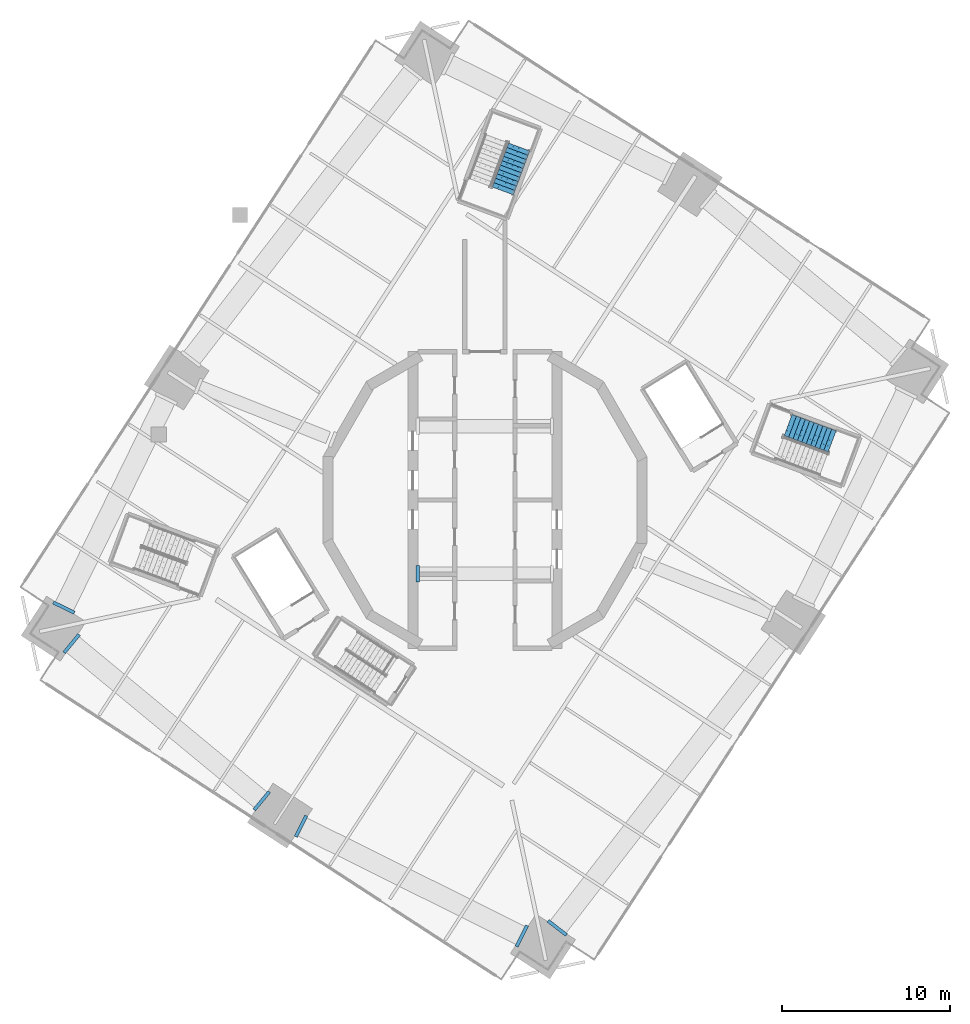
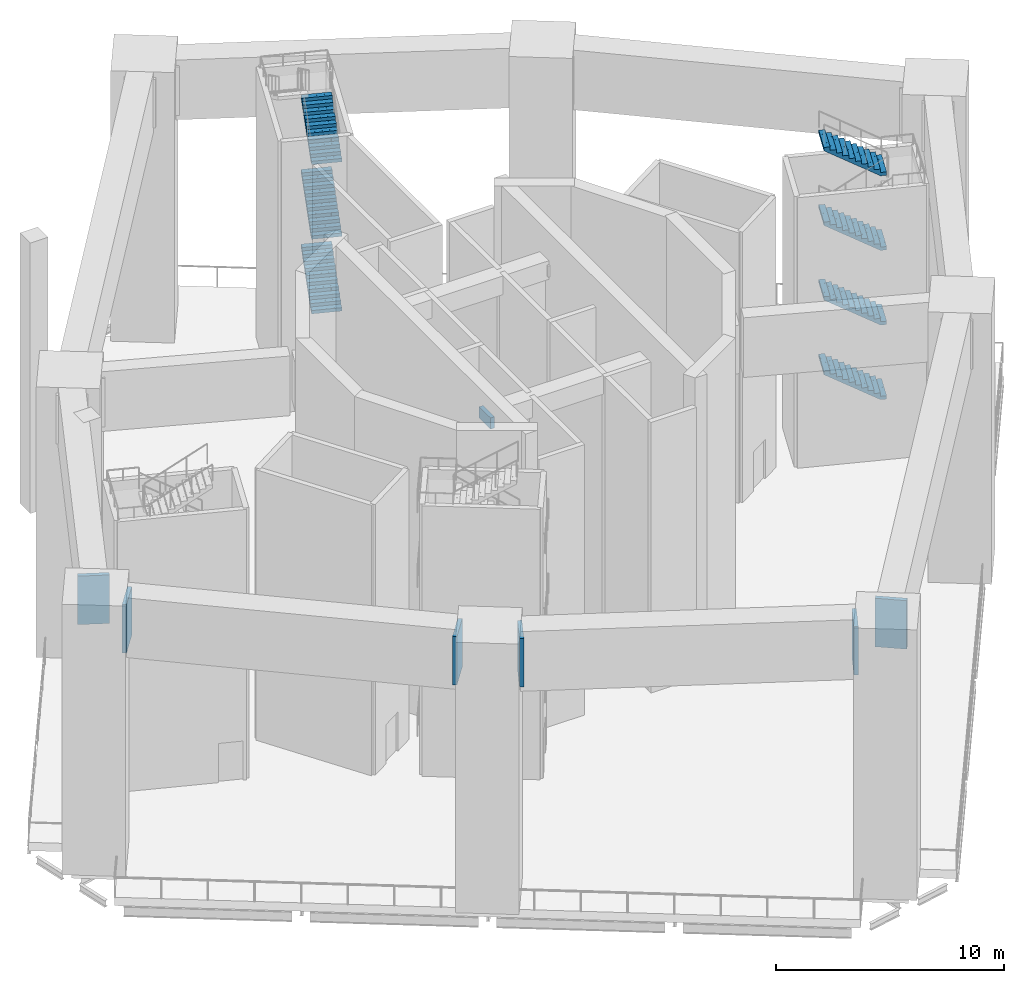
# One storey, part 8 of 16: 7 discrete accessories, 7 stair flights, 2 elements without a shape of their own.
"""IFC4 building model written with IfcOpenShell, lengths in metres."""

from ifc_helpers import new_model, si_unit, direction, frame, origin, place, context, subcontext, project, spatial, polyline, outline, extrude, material, layer, layer_set, type_object, element, aggregate, save


model = new_model("IFC4")

# Units and contexts
model_context = context("Model", 3, precision=1e-05, world=origin(), true_north=direction((0.0, 1.0)))
body_context = subcontext(model_context, "Body", "Model", "MODEL_VIEW")
ifc_project = project(units=[si_unit("LENGTHUNIT", "METRE"), si_unit("AREAUNIT", "SQUARE_METRE"), si_unit("VOLUMEUNIT", "CUBIC_METRE"), si_unit("PLANEANGLEUNIT", "RADIAN"), si_unit("MASSUNIT", "GRAM", prefix="KILO")], contexts=[model_context])

# Site, building, storey
site_placement = place(None, origin())
site = spatial("IfcSite", under=ifc_project, at=site_placement, CompositionType="ELEMENT")
building_placement = place(site_placement, origin())
building = spatial("IfcBuilding", under=site, at=building_placement, Name="Cantera Rosa Tower", CompositionType="ELEMENT")
storey_placement = place(building_placement, frame((0.0, 0.0, 290.10009765625)))
storey = spatial("IfcBuildingStorey", under=building, at=storey_placement, Name="L66", CompositionType="ELEMENT", Elevation=290.10009765625)

# Stair, stair flights
ifc_material_1 = material(Name="Concrete C35/45", Category="concrete")
stair_type = type_object("IfcStairType", Name="EXIT STAIR 1350 DOGLEG", PredefinedType="HALF_TURN_STAIR", material=ifc_material_1)
stair_1_placement = place(storey_placement, origin())
stair_1 = element("IfcStair", 1, at=stair_1_placement, inside=storey, type_object=stair_type, Name="L66 ST-61", PredefinedType="HALF_TURN_STAIR")
ifc_material_2 = material(Name="Concrete C35/45", Category="concrete")
stair_flight_type = type_object("IfcStairFlightType", Name="STAIR FLIGHT 1350 R88x182", PredefinedType="STRAIGHT", material=ifc_material_2)
stair_flight_1_placement = place(storey_placement, frame((20.705810546875, 3.498046875, 2.0), z_axis=(0.0, 0.0, 1.0), x_axis=(-0.937686938944, 0.347481229039, 0.0)))
stair_flight_1 = element("IfcStairFlight", 2, at=stair_flight_1_placement, type_object=stair_flight_type, Name="ST-61 flight 2", NumberOfRisers=11, NumberOfTreads=10, PredefinedType="STRAIGHT", RiserHeight=0.181818182, TreadLength=0.28, context=body_context, shape_type="SweptSolid", body=[
    extrude(outline(polyline([(0.0, 0.0), (0.0, 0.181884765625), (0.280029296875, 0.181884765625), (0.280029296875, 0.363525390625), (0.56005859375, 0.363525390625), (0.56005859375, 0.54541015625), (0.840087890625, 0.54541015625), (0.840087890625, 0.727294921875), (1.1201171875, 0.727294921875), (1.1201171875, 0.9091796875), (1.39990234375, 0.9091796875), (1.39990234375, 1.0908203125), (1.679931640625, 1.0908203125), (1.679931640625, 1.272705078125), (1.9599609375, 1.272705078125), (1.9599609375, 1.45458984375), (2.239990234375, 1.45458984375), (2.239990234375, 1.636474609375), (2.52001953125, 1.636474609375), (2.52001953125, 1.818115234375), (2.800048828125, 1.818115234375), (2.800048828125, 2.0), (2.800048828125, 1.639404296875), (0.275146484375, 0.0), (0.0, 0.0)])), frame((0.0, 0.675048828125, 0.0), z_axis=(0.0, -1.0, 0.0), x_axis=(1.0, 0.0, 0.0)), (0.0, 0.0, 1.0), 0.3359375),
    extrude(outline(polyline([(0.0, 0.0), (0.0, 0.181884765625), (0.280029296875, 0.181884765625), (0.280029296875, 0.363525390625), (0.56005859375, 0.363525390625), (0.56005859375, 0.54541015625), (0.840087890625, 0.54541015625), (0.840087890625, 0.727294921875), (1.1201171875, 0.727294921875), (1.1201171875, 0.9091796875), (1.39990234375, 0.9091796875), (1.39990234375, 1.0908203125), (1.679931640625, 1.0908203125), (1.679931640625, 1.272705078125), (1.9599609375, 1.272705078125), (1.9599609375, 1.45458984375), (2.239990234375, 1.45458984375), (2.239990234375, 1.636474609375), (2.52001953125, 1.636474609375), (2.52001953125, 1.818115234375), (2.800048828125, 1.818115234375), (2.800048828125, 2.0), (2.800048828125, 1.639404296875), (0.275146484375, 0.0), (0.0, 0.0)])), frame((0.0, 0.337158203125, 0.0), z_axis=(0.0, -1.0, 0.0), x_axis=(1.0, 0.0, 0.0)), (0.0, 0.0, 1.0), 0.3359375),
    extrude(outline(polyline([(0.0, 0.0), (0.0, 0.181884765625), (0.280029296875, 0.181884765625), (0.280029296875, 0.363525390625), (0.56005859375, 0.363525390625), (0.56005859375, 0.54541015625), (0.840087890625, 0.54541015625), (0.840087890625, 0.727294921875), (1.1201171875, 0.727294921875), (1.1201171875, 0.9091796875), (1.39990234375, 0.9091796875), (1.39990234375, 1.0908203125), (1.679931640625, 1.0908203125), (1.679931640625, 1.272705078125), (1.9599609375, 1.272705078125), (1.9599609375, 1.45458984375), (2.239990234375, 1.45458984375), (2.239990234375, 1.636474609375), (2.52001953125, 1.636474609375), (2.52001953125, 1.818115234375), (2.800048828125, 1.818115234375), (2.800048828125, 2.0), (2.800048828125, 1.639404296875), (0.275146484375, 0.0), (0.0, 0.0)])), frame((0.0, -0.000732421875, 0.0), z_axis=(0.0, -1.0, 0.0), x_axis=(1.0, 0.0, 0.0)), (0.0, 0.0, 1.0), 0.3359375),
    extrude(outline(polyline([(0.0, 0.0), (0.0, 0.181884765625), (0.280029296875, 0.181884765625), (0.280029296875, 0.363525390625), (0.56005859375, 0.363525390625), (0.56005859375, 0.54541015625), (0.840087890625, 0.54541015625), (0.840087890625, 0.727294921875), (1.1201171875, 0.727294921875), (1.1201171875, 0.9091796875), (1.39990234375, 0.9091796875), (1.39990234375, 1.0908203125), (1.679931640625, 1.0908203125), (1.679931640625, 1.272705078125), (1.9599609375, 1.272705078125), (1.9599609375, 1.45458984375), (2.239990234375, 1.45458984375), (2.239990234375, 1.636474609375), (2.52001953125, 1.636474609375), (2.52001953125, 1.818115234375), (2.800048828125, 1.818115234375), (2.800048828125, 2.0), (2.800048828125, 1.639404296875), (0.275146484375, 0.0), (0.0, 0.0)])), frame((0.0, -0.338623046875, 0.0), z_axis=(0.0, -1.0, 0.0), x_axis=(1.0, 0.0, 0.0)), (0.0, 0.0, 1.0), 0.3359375),
])
stair_flight_2_placement = place(storey_placement, frame((20.705810546875, 3.498046875, 6.0), z_axis=(0.0, 0.0, 1.0), x_axis=(-0.937686938944, 0.347481229039, 0.0)))
stair_flight_2 = element("IfcStairFlight", 3, at=stair_flight_2_placement, type_object=stair_flight_type, Name="ST-61 flight 4", NumberOfRisers=11, NumberOfTreads=10, PredefinedType="STRAIGHT", RiserHeight=0.181818182, TreadLength=0.28, context=body_context, shape_type="SweptSolid", body=[
    extrude(outline(polyline([(0.0, 0.0), (0.0, 0.181884765625), (0.280029296875, 0.181884765625), (0.280029296875, 0.363525390625), (0.56005859375, 0.363525390625), (0.56005859375, 0.54541015625), (0.840087890625, 0.54541015625), (0.840087890625, 0.727294921875), (1.1201171875, 0.727294921875), (1.1201171875, 0.9091796875), (1.39990234375, 0.9091796875), (1.39990234375, 1.0908203125), (1.679931640625, 1.0908203125), (1.679931640625, 1.272705078125), (1.9599609375, 1.272705078125), (1.9599609375, 1.45458984375), (2.239990234375, 1.45458984375), (2.239990234375, 1.636474609375), (2.52001953125, 1.636474609375), (2.52001953125, 1.818115234375), (2.800048828125, 1.818115234375), (2.800048828125, 2.0), (2.800048828125, 1.639404296875), (0.275146484375, 0.0), (0.0, 0.0)])), frame((0.0, 0.675048828125, 0.0), z_axis=(0.0, -1.0, 0.0), x_axis=(1.0, 0.0, 0.0)), (0.0, 0.0, 1.0), 0.3359375),
    extrude(outline(polyline([(0.0, 0.0), (0.0, 0.181884765625), (0.280029296875, 0.181884765625), (0.280029296875, 0.363525390625), (0.56005859375, 0.363525390625), (0.56005859375, 0.54541015625), (0.840087890625, 0.54541015625), (0.840087890625, 0.727294921875), (1.1201171875, 0.727294921875), (1.1201171875, 0.9091796875), (1.39990234375, 0.9091796875), (1.39990234375, 1.0908203125), (1.679931640625, 1.0908203125), (1.679931640625, 1.272705078125), (1.9599609375, 1.272705078125), (1.9599609375, 1.45458984375), (2.239990234375, 1.45458984375), (2.239990234375, 1.636474609375), (2.52001953125, 1.636474609375), (2.52001953125, 1.818115234375), (2.800048828125, 1.818115234375), (2.800048828125, 2.0), (2.800048828125, 1.639404296875), (0.275146484375, 0.0), (0.0, 0.0)])), frame((0.0, 0.337158203125, 0.0), z_axis=(0.0, -1.0, 0.0), x_axis=(1.0, 0.0, 0.0)), (0.0, 0.0, 1.0), 0.3359375),
    extrude(outline(polyline([(0.0, 0.0), (0.0, 0.181884765625), (0.280029296875, 0.181884765625), (0.280029296875, 0.363525390625), (0.56005859375, 0.363525390625), (0.56005859375, 0.54541015625), (0.840087890625, 0.54541015625), (0.840087890625, 0.727294921875), (1.1201171875, 0.727294921875), (1.1201171875, 0.9091796875), (1.39990234375, 0.9091796875), (1.39990234375, 1.0908203125), (1.679931640625, 1.0908203125), (1.679931640625, 1.272705078125), (1.9599609375, 1.272705078125), (1.9599609375, 1.45458984375), (2.239990234375, 1.45458984375), (2.239990234375, 1.636474609375), (2.52001953125, 1.636474609375), (2.52001953125, 1.818115234375), (2.800048828125, 1.818115234375), (2.800048828125, 2.0), (2.800048828125, 1.639404296875), (0.275146484375, 0.0), (0.0, 0.0)])), frame((0.0, -0.000732421875, 0.0), z_axis=(0.0, -1.0, 0.0), x_axis=(1.0, 0.0, 0.0)), (0.0, 0.0, 1.0), 0.3359375),
    extrude(outline(polyline([(0.0, 0.0), (0.0, 0.181884765625), (0.280029296875, 0.181884765625), (0.280029296875, 0.363525390625), (0.56005859375, 0.363525390625), (0.56005859375, 0.54541015625), (0.840087890625, 0.54541015625), (0.840087890625, 0.727294921875), (1.1201171875, 0.727294921875), (1.1201171875, 0.9091796875), (1.39990234375, 0.9091796875), (1.39990234375, 1.0908203125), (1.679931640625, 1.0908203125), (1.679931640625, 1.272705078125), (1.9599609375, 1.272705078125), (1.9599609375, 1.45458984375), (2.239990234375, 1.45458984375), (2.239990234375, 1.636474609375), (2.52001953125, 1.636474609375), (2.52001953125, 1.818115234375), (2.800048828125, 1.818115234375), (2.800048828125, 2.0), (2.800048828125, 1.639404296875), (0.275146484375, 0.0), (0.0, 0.0)])), frame((0.0, -0.338623046875, 0.0), z_axis=(0.0, -1.0, 0.0), x_axis=(1.0, 0.0, 0.0)), (0.0, 0.0, 1.0), 0.3359375),
])
stair_flight_3_placement = place(storey_placement, frame((20.705810546875, 3.498046875, 10.0), z_axis=(0.0, 0.0, 1.0), x_axis=(-0.937686938944, 0.347481229039, 0.0)))
stair_flight_3 = element("IfcStairFlight", 4, at=stair_flight_3_placement, type_object=stair_flight_type, Name="ST-61 flight 6", NumberOfRisers=11, NumberOfTreads=10, PredefinedType="STRAIGHT", RiserHeight=0.181818182, TreadLength=0.28, context=body_context, shape_type="SweptSolid", body=[
    extrude(outline(polyline([(0.0, 0.0), (0.0, 0.181884765625), (0.280029296875, 0.181884765625), (0.280029296875, 0.363525390625), (0.56005859375, 0.363525390625), (0.56005859375, 0.54541015625), (0.840087890625, 0.54541015625), (0.840087890625, 0.727294921875), (1.1201171875, 0.727294921875), (1.1201171875, 0.9091796875), (1.39990234375, 0.9091796875), (1.39990234375, 1.0908203125), (1.679931640625, 1.0908203125), (1.679931640625, 1.272705078125), (1.9599609375, 1.272705078125), (1.9599609375, 1.45458984375), (2.239990234375, 1.45458984375), (2.239990234375, 1.636474609375), (2.52001953125, 1.636474609375), (2.52001953125, 1.818115234375), (2.800048828125, 1.818115234375), (2.800048828125, 2.0), (2.800048828125, 1.639404296875), (0.275146484375, 0.0), (0.0, 0.0)])), frame((0.0, 0.675048828125, 0.0), z_axis=(0.0, -1.0, 0.0), x_axis=(1.0, 0.0, 0.0)), (0.0, 0.0, 1.0), 0.3359375),
    extrude(outline(polyline([(0.0, 0.0), (0.0, 0.181884765625), (0.280029296875, 0.181884765625), (0.280029296875, 0.363525390625), (0.56005859375, 0.363525390625), (0.56005859375, 0.54541015625), (0.840087890625, 0.54541015625), (0.840087890625, 0.727294921875), (1.1201171875, 0.727294921875), (1.1201171875, 0.9091796875), (1.39990234375, 0.9091796875), (1.39990234375, 1.0908203125), (1.679931640625, 1.0908203125), (1.679931640625, 1.272705078125), (1.9599609375, 1.272705078125), (1.9599609375, 1.45458984375), (2.239990234375, 1.45458984375), (2.239990234375, 1.636474609375), (2.52001953125, 1.636474609375), (2.52001953125, 1.818115234375), (2.800048828125, 1.818115234375), (2.800048828125, 2.0), (2.800048828125, 1.639404296875), (0.275146484375, 0.0), (0.0, 0.0)])), frame((0.0, 0.337158203125, 0.0), z_axis=(0.0, -1.0, 0.0), x_axis=(1.0, 0.0, 0.0)), (0.0, 0.0, 1.0), 0.3359375),
    extrude(outline(polyline([(0.0, 0.0), (0.0, 0.181884765625), (0.280029296875, 0.181884765625), (0.280029296875, 0.363525390625), (0.56005859375, 0.363525390625), (0.56005859375, 0.54541015625), (0.840087890625, 0.54541015625), (0.840087890625, 0.727294921875), (1.1201171875, 0.727294921875), (1.1201171875, 0.9091796875), (1.39990234375, 0.9091796875), (1.39990234375, 1.0908203125), (1.679931640625, 1.0908203125), (1.679931640625, 1.272705078125), (1.9599609375, 1.272705078125), (1.9599609375, 1.45458984375), (2.239990234375, 1.45458984375), (2.239990234375, 1.636474609375), (2.52001953125, 1.636474609375), (2.52001953125, 1.818115234375), (2.800048828125, 1.818115234375), (2.800048828125, 2.0), (2.800048828125, 1.639404296875), (0.275146484375, 0.0), (0.0, 0.0)])), frame((0.0, -0.000732421875, 0.0), z_axis=(0.0, -1.0, 0.0), x_axis=(1.0, 0.0, 0.0)), (0.0, 0.0, 1.0), 0.3359375),
    extrude(outline(polyline([(0.0, 0.0), (0.0, 0.181884765625), (0.280029296875, 0.181884765625), (0.280029296875, 0.363525390625), (0.56005859375, 0.363525390625), (0.56005859375, 0.54541015625), (0.840087890625, 0.54541015625), (0.840087890625, 0.727294921875), (1.1201171875, 0.727294921875), (1.1201171875, 0.9091796875), (1.39990234375, 0.9091796875), (1.39990234375, 1.0908203125), (1.679931640625, 1.0908203125), (1.679931640625, 1.272705078125), (1.9599609375, 1.272705078125), (1.9599609375, 1.45458984375), (2.239990234375, 1.45458984375), (2.239990234375, 1.636474609375), (2.52001953125, 1.636474609375), (2.52001953125, 1.818115234375), (2.800048828125, 1.818115234375), (2.800048828125, 2.0), (2.800048828125, 1.639404296875), (0.275146484375, 0.0), (0.0, 0.0)])), frame((0.0, -0.338623046875, 0.0), z_axis=(0.0, -1.0, 0.0), x_axis=(1.0, 0.0, 0.0)), (0.0, 0.0, 1.0), 0.3359375),
])
stair_flight_4_placement = place(storey_placement, frame((20.705810546875, 3.498046875, 14.0), z_axis=(0.0, 0.0, 1.0), x_axis=(-0.937686938944, 0.347481229039, 0.0)))
stair_flight_4 = element("IfcStairFlight", 5, at=stair_flight_4_placement, type_object=stair_flight_type, Name="ST-61 flight 8", NumberOfRisers=11, NumberOfTreads=10, PredefinedType="STRAIGHT", RiserHeight=0.181818182, TreadLength=0.28, context=body_context, shape_type="SweptSolid", body=[
    extrude(outline(polyline([(0.0, 0.0), (0.0, 0.181884765625), (0.280029296875, 0.181884765625), (0.280029296875, 0.363525390625), (0.56005859375, 0.363525390625), (0.56005859375, 0.54541015625), (0.840087890625, 0.54541015625), (0.840087890625, 0.727294921875), (1.1201171875, 0.727294921875), (1.1201171875, 0.9091796875), (1.39990234375, 0.9091796875), (1.39990234375, 1.0908203125), (1.679931640625, 1.0908203125), (1.679931640625, 1.272705078125), (1.9599609375, 1.272705078125), (1.9599609375, 1.45458984375), (2.239990234375, 1.45458984375), (2.239990234375, 1.636474609375), (2.52001953125, 1.636474609375), (2.52001953125, 1.818115234375), (2.800048828125, 1.818115234375), (2.800048828125, 2.0), (2.800048828125, 1.639404296875), (0.275146484375, 0.0), (0.0, 0.0)])), frame((0.0, 0.675048828125, 0.0), z_axis=(0.0, -1.0, 0.0), x_axis=(1.0, 0.0, 0.0)), (0.0, 0.0, 1.0), 0.3359375),
    extrude(outline(polyline([(0.0, 0.0), (0.0, 0.181884765625), (0.280029296875, 0.181884765625), (0.280029296875, 0.363525390625), (0.56005859375, 0.363525390625), (0.56005859375, 0.54541015625), (0.840087890625, 0.54541015625), (0.840087890625, 0.727294921875), (1.1201171875, 0.727294921875), (1.1201171875, 0.9091796875), (1.39990234375, 0.9091796875), (1.39990234375, 1.0908203125), (1.679931640625, 1.0908203125), (1.679931640625, 1.272705078125), (1.9599609375, 1.272705078125), (1.9599609375, 1.45458984375), (2.239990234375, 1.45458984375), (2.239990234375, 1.636474609375), (2.52001953125, 1.636474609375), (2.52001953125, 1.818115234375), (2.800048828125, 1.818115234375), (2.800048828125, 2.0), (2.800048828125, 1.639404296875), (0.275146484375, 0.0), (0.0, 0.0)])), frame((0.0, 0.337158203125, 0.0), z_axis=(0.0, -1.0, 0.0), x_axis=(1.0, 0.0, 0.0)), (0.0, 0.0, 1.0), 0.3359375),
    extrude(outline(polyline([(0.0, 0.0), (0.0, 0.181884765625), (0.280029296875, 0.181884765625), (0.280029296875, 0.363525390625), (0.56005859375, 0.363525390625), (0.56005859375, 0.54541015625), (0.840087890625, 0.54541015625), (0.840087890625, 0.727294921875), (1.1201171875, 0.727294921875), (1.1201171875, 0.9091796875), (1.39990234375, 0.9091796875), (1.39990234375, 1.0908203125), (1.679931640625, 1.0908203125), (1.679931640625, 1.272705078125), (1.9599609375, 1.272705078125), (1.9599609375, 1.45458984375), (2.239990234375, 1.45458984375), (2.239990234375, 1.636474609375), (2.52001953125, 1.636474609375), (2.52001953125, 1.818115234375), (2.800048828125, 1.818115234375), (2.800048828125, 2.0), (2.800048828125, 1.639404296875), (0.275146484375, 0.0), (0.0, 0.0)])), frame((0.0, -0.000732421875, 0.0), z_axis=(0.0, -1.0, 0.0), x_axis=(1.0, 0.0, 0.0)), (0.0, 0.0, 1.0), 0.3359375),
    extrude(outline(polyline([(0.0, 0.0), (0.0, 0.181884765625), (0.280029296875, 0.181884765625), (0.280029296875, 0.363525390625), (0.56005859375, 0.363525390625), (0.56005859375, 0.54541015625), (0.840087890625, 0.54541015625), (0.840087890625, 0.727294921875), (1.1201171875, 0.727294921875), (1.1201171875, 0.9091796875), (1.39990234375, 0.9091796875), (1.39990234375, 1.0908203125), (1.679931640625, 1.0908203125), (1.679931640625, 1.272705078125), (1.9599609375, 1.272705078125), (1.9599609375, 1.45458984375), (2.239990234375, 1.45458984375), (2.239990234375, 1.636474609375), (2.52001953125, 1.636474609375), (2.52001953125, 1.818115234375), (2.800048828125, 1.818115234375), (2.800048828125, 2.0), (2.800048828125, 1.639404296875), (0.275146484375, 0.0), (0.0, 0.0)])), frame((0.0, -0.338623046875, 0.0), z_axis=(0.0, -1.0, 0.0), x_axis=(1.0, 0.0, 0.0)), (0.0, 0.0, 1.0), 0.3359375),
])
aggregate(stair_1, [stair_flight_1, stair_flight_2, stair_flight_3, stair_flight_4])

stair_2_placement = place(storey_placement, origin())
stair_2 = element("IfcStair", 6, at=stair_2_placement, inside=storey, type_object=stair_type, Name="L66 ST-62", PredefinedType="HALF_TURN_STAIR")
stair_flight_5_placement = place(storey_placement, frame((1.069580078125, 18.426513671875, 4.0), z_axis=(0.0, 0.0, 1.0), x_axis=(0.347481229039, 0.937686938944, 0.0)))
stair_flight_5 = element("IfcStairFlight", 7, at=stair_flight_5_placement, type_object=stair_flight_type, Name="ST-62 flight 3", NumberOfRisers=11, NumberOfTreads=10, PredefinedType="STRAIGHT", RiserHeight=0.181818182, TreadLength=0.28, context=body_context, shape_type="SweptSolid", body=[
    extrude(outline(polyline([(0.0, 0.0), (0.0, 0.181884765625), (0.280029296875, 0.181884765625), (0.280029296875, 0.363525390625), (0.56005859375, 0.363525390625), (0.56005859375, 0.54541015625), (0.840087890625, 0.54541015625), (0.840087890625, 0.727294921875), (1.1201171875, 0.727294921875), (1.1201171875, 0.9091796875), (1.39990234375, 0.9091796875), (1.39990234375, 1.0908203125), (1.679931640625, 1.0908203125), (1.679931640625, 1.272705078125), (1.9599609375, 1.272705078125), (1.9599609375, 1.45458984375), (2.239990234375, 1.45458984375), (2.239990234375, 1.636474609375), (2.52001953125, 1.636474609375), (2.52001953125, 1.818115234375), (2.800048828125, 1.818115234375), (2.800048828125, 2.0), (2.800048828125, 1.639404296875), (0.275146484375, 0.0), (0.0, 0.0)])), frame((0.0, 0.675048828125, 0.0), z_axis=(0.0, -1.0, 0.0), x_axis=(1.0, 0.0, 0.0)), (0.0, 0.0, 1.0), 0.3359375),
    extrude(outline(polyline([(0.0, 0.0), (0.0, 0.181884765625), (0.280029296875, 0.181884765625), (0.280029296875, 0.363525390625), (0.56005859375, 0.363525390625), (0.56005859375, 0.54541015625), (0.840087890625, 0.54541015625), (0.840087890625, 0.727294921875), (1.1201171875, 0.727294921875), (1.1201171875, 0.9091796875), (1.39990234375, 0.9091796875), (1.39990234375, 1.0908203125), (1.679931640625, 1.0908203125), (1.679931640625, 1.272705078125), (1.9599609375, 1.272705078125), (1.9599609375, 1.45458984375), (2.239990234375, 1.45458984375), (2.239990234375, 1.636474609375), (2.52001953125, 1.636474609375), (2.52001953125, 1.818115234375), (2.800048828125, 1.818115234375), (2.800048828125, 2.0), (2.800048828125, 1.639404296875), (0.275146484375, 0.0), (0.0, 0.0)])), frame((0.0, 0.337158203125, 0.0), z_axis=(0.0, -1.0, 0.0), x_axis=(1.0, 0.0, 0.0)), (0.0, 0.0, 1.0), 0.3359375),
    extrude(outline(polyline([(0.0, 0.0), (0.0, 0.181884765625), (0.280029296875, 0.181884765625), (0.280029296875, 0.363525390625), (0.56005859375, 0.363525390625), (0.56005859375, 0.54541015625), (0.840087890625, 0.54541015625), (0.840087890625, 0.727294921875), (1.1201171875, 0.727294921875), (1.1201171875, 0.9091796875), (1.39990234375, 0.9091796875), (1.39990234375, 1.0908203125), (1.679931640625, 1.0908203125), (1.679931640625, 1.272705078125), (1.9599609375, 1.272705078125), (1.9599609375, 1.45458984375), (2.239990234375, 1.45458984375), (2.239990234375, 1.636474609375), (2.52001953125, 1.636474609375), (2.52001953125, 1.818115234375), (2.800048828125, 1.818115234375), (2.800048828125, 2.0), (2.800048828125, 1.639404296875), (0.275146484375, 0.0), (0.0, 0.0)])), frame((0.0, -0.000732421875, 0.0), z_axis=(0.0, -1.0, 0.0), x_axis=(1.0, 0.0, 0.0)), (0.0, 0.0, 1.0), 0.3359375),
    extrude(outline(polyline([(0.0, 0.0), (0.0, 0.181884765625), (0.280029296875, 0.181884765625), (0.280029296875, 0.363525390625), (0.56005859375, 0.363525390625), (0.56005859375, 0.54541015625), (0.840087890625, 0.54541015625), (0.840087890625, 0.727294921875), (1.1201171875, 0.727294921875), (1.1201171875, 0.9091796875), (1.39990234375, 0.9091796875), (1.39990234375, 1.0908203125), (1.679931640625, 1.0908203125), (1.679931640625, 1.272705078125), (1.9599609375, 1.272705078125), (1.9599609375, 1.45458984375), (2.239990234375, 1.45458984375), (2.239990234375, 1.636474609375), (2.52001953125, 1.636474609375), (2.52001953125, 1.818115234375), (2.800048828125, 1.818115234375), (2.800048828125, 2.0), (2.800048828125, 1.639404296875), (0.275146484375, 0.0), (0.0, 0.0)])), frame((0.0, -0.338623046875, 0.0), z_axis=(0.0, -1.0, 0.0), x_axis=(1.0, 0.0, 0.0)), (0.0, 0.0, 1.0), 0.3359375),
])
stair_flight_6_placement = place(storey_placement, frame((1.069580078125, 18.426513671875, 8.0), z_axis=(0.0, 0.0, 1.0), x_axis=(0.347481229039, 0.937686938944, 0.0)))
stair_flight_6 = element("IfcStairFlight", 8, at=stair_flight_6_placement, type_object=stair_flight_type, Name="ST-62 flight 5", NumberOfRisers=11, NumberOfTreads=10, PredefinedType="STRAIGHT", RiserHeight=0.181818182, TreadLength=0.28, context=body_context, shape_type="SweptSolid", body=[
    extrude(outline(polyline([(0.0, 0.0), (0.0, 0.181884765625), (0.280029296875, 0.181884765625), (0.280029296875, 0.363525390625), (0.56005859375, 0.363525390625), (0.56005859375, 0.54541015625), (0.840087890625, 0.54541015625), (0.840087890625, 0.727294921875), (1.1201171875, 0.727294921875), (1.1201171875, 0.9091796875), (1.39990234375, 0.9091796875), (1.39990234375, 1.0908203125), (1.679931640625, 1.0908203125), (1.679931640625, 1.272705078125), (1.9599609375, 1.272705078125), (1.9599609375, 1.45458984375), (2.239990234375, 1.45458984375), (2.239990234375, 1.636474609375), (2.52001953125, 1.636474609375), (2.52001953125, 1.818115234375), (2.800048828125, 1.818115234375), (2.800048828125, 2.0), (2.800048828125, 1.639404296875), (0.275146484375, 0.0), (0.0, 0.0)])), frame((0.0, 0.675048828125, 0.0), z_axis=(0.0, -1.0, 0.0), x_axis=(1.0, 0.0, 0.0)), (0.0, 0.0, 1.0), 0.3359375),
    extrude(outline(polyline([(0.0, 0.0), (0.0, 0.181884765625), (0.280029296875, 0.181884765625), (0.280029296875, 0.363525390625), (0.56005859375, 0.363525390625), (0.56005859375, 0.54541015625), (0.840087890625, 0.54541015625), (0.840087890625, 0.727294921875), (1.1201171875, 0.727294921875), (1.1201171875, 0.9091796875), (1.39990234375, 0.9091796875), (1.39990234375, 1.0908203125), (1.679931640625, 1.0908203125), (1.679931640625, 1.272705078125), (1.9599609375, 1.272705078125), (1.9599609375, 1.45458984375), (2.239990234375, 1.45458984375), (2.239990234375, 1.636474609375), (2.52001953125, 1.636474609375), (2.52001953125, 1.818115234375), (2.800048828125, 1.818115234375), (2.800048828125, 2.0), (2.800048828125, 1.639404296875), (0.275146484375, 0.0), (0.0, 0.0)])), frame((0.0, 0.337158203125, 0.0), z_axis=(0.0, -1.0, 0.0), x_axis=(1.0, 0.0, 0.0)), (0.0, 0.0, 1.0), 0.3359375),
    extrude(outline(polyline([(0.0, 0.0), (0.0, 0.181884765625), (0.280029296875, 0.181884765625), (0.280029296875, 0.363525390625), (0.56005859375, 0.363525390625), (0.56005859375, 0.54541015625), (0.840087890625, 0.54541015625), (0.840087890625, 0.727294921875), (1.1201171875, 0.727294921875), (1.1201171875, 0.9091796875), (1.39990234375, 0.9091796875), (1.39990234375, 1.0908203125), (1.679931640625, 1.0908203125), (1.679931640625, 1.272705078125), (1.9599609375, 1.272705078125), (1.9599609375, 1.45458984375), (2.239990234375, 1.45458984375), (2.239990234375, 1.636474609375), (2.52001953125, 1.636474609375), (2.52001953125, 1.818115234375), (2.800048828125, 1.818115234375), (2.800048828125, 2.0), (2.800048828125, 1.639404296875), (0.275146484375, 0.0), (0.0, 0.0)])), frame((0.0, -0.000732421875, 0.0), z_axis=(0.0, -1.0, 0.0), x_axis=(1.0, 0.0, 0.0)), (0.0, 0.0, 1.0), 0.3359375),
    extrude(outline(polyline([(0.0, 0.0), (0.0, 0.181884765625), (0.280029296875, 0.181884765625), (0.280029296875, 0.363525390625), (0.56005859375, 0.363525390625), (0.56005859375, 0.54541015625), (0.840087890625, 0.54541015625), (0.840087890625, 0.727294921875), (1.1201171875, 0.727294921875), (1.1201171875, 0.9091796875), (1.39990234375, 0.9091796875), (1.39990234375, 1.0908203125), (1.679931640625, 1.0908203125), (1.679931640625, 1.272705078125), (1.9599609375, 1.272705078125), (1.9599609375, 1.45458984375), (2.239990234375, 1.45458984375), (2.239990234375, 1.636474609375), (2.52001953125, 1.636474609375), (2.52001953125, 1.818115234375), (2.800048828125, 1.818115234375), (2.800048828125, 2.0), (2.800048828125, 1.639404296875), (0.275146484375, 0.0), (0.0, 0.0)])), frame((0.0, -0.338623046875, 0.0), z_axis=(0.0, -1.0, 0.0), x_axis=(1.0, 0.0, 0.0)), (0.0, 0.0, 1.0), 0.3359375),
])
stair_flight_7_placement = place(storey_placement, frame((1.069580078125, 18.426513671875, 12.0), z_axis=(0.0, 0.0, 1.0), x_axis=(0.347481229039, 0.937686938944, 0.0)))
stair_flight_7 = element("IfcStairFlight", 9, at=stair_flight_7_placement, type_object=stair_flight_type, Name="ST-62 flight 7", NumberOfRisers=11, NumberOfTreads=10, PredefinedType="STRAIGHT", RiserHeight=0.181818182, TreadLength=0.28, context=body_context, shape_type="SweptSolid", body=[
    extrude(outline(polyline([(0.0, 0.0), (0.0, 0.181884765625), (0.280029296875, 0.181884765625), (0.280029296875, 0.363525390625), (0.56005859375, 0.363525390625), (0.56005859375, 0.54541015625), (0.840087890625, 0.54541015625), (0.840087890625, 0.727294921875), (1.1201171875, 0.727294921875), (1.1201171875, 0.9091796875), (1.39990234375, 0.9091796875), (1.39990234375, 1.0908203125), (1.679931640625, 1.0908203125), (1.679931640625, 1.272705078125), (1.9599609375, 1.272705078125), (1.9599609375, 1.45458984375), (2.239990234375, 1.45458984375), (2.239990234375, 1.636474609375), (2.52001953125, 1.636474609375), (2.52001953125, 1.818115234375), (2.800048828125, 1.818115234375), (2.800048828125, 2.0), (2.800048828125, 1.639404296875), (0.275146484375, 0.0), (0.0, 0.0)])), frame((0.0, 0.675048828125, 0.0), z_axis=(0.0, -1.0, 0.0), x_axis=(1.0, 0.0, 0.0)), (0.0, 0.0, 1.0), 0.3359375),
    extrude(outline(polyline([(0.0, 0.0), (0.0, 0.181884765625), (0.280029296875, 0.181884765625), (0.280029296875, 0.363525390625), (0.56005859375, 0.363525390625), (0.56005859375, 0.54541015625), (0.840087890625, 0.54541015625), (0.840087890625, 0.727294921875), (1.1201171875, 0.727294921875), (1.1201171875, 0.9091796875), (1.39990234375, 0.9091796875), (1.39990234375, 1.0908203125), (1.679931640625, 1.0908203125), (1.679931640625, 1.272705078125), (1.9599609375, 1.272705078125), (1.9599609375, 1.45458984375), (2.239990234375, 1.45458984375), (2.239990234375, 1.636474609375), (2.52001953125, 1.636474609375), (2.52001953125, 1.818115234375), (2.800048828125, 1.818115234375), (2.800048828125, 2.0), (2.800048828125, 1.639404296875), (0.275146484375, 0.0), (0.0, 0.0)])), frame((0.0, 0.337158203125, 0.0), z_axis=(0.0, -1.0, 0.0), x_axis=(1.0, 0.0, 0.0)), (0.0, 0.0, 1.0), 0.3359375),
    extrude(outline(polyline([(0.0, 0.0), (0.0, 0.181884765625), (0.280029296875, 0.181884765625), (0.280029296875, 0.363525390625), (0.56005859375, 0.363525390625), (0.56005859375, 0.54541015625), (0.840087890625, 0.54541015625), (0.840087890625, 0.727294921875), (1.1201171875, 0.727294921875), (1.1201171875, 0.9091796875), (1.39990234375, 0.9091796875), (1.39990234375, 1.0908203125), (1.679931640625, 1.0908203125), (1.679931640625, 1.272705078125), (1.9599609375, 1.272705078125), (1.9599609375, 1.45458984375), (2.239990234375, 1.45458984375), (2.239990234375, 1.636474609375), (2.52001953125, 1.636474609375), (2.52001953125, 1.818115234375), (2.800048828125, 1.818115234375), (2.800048828125, 2.0), (2.800048828125, 1.639404296875), (0.275146484375, 0.0), (0.0, 0.0)])), frame((0.0, -0.000732421875, 0.0), z_axis=(0.0, -1.0, 0.0), x_axis=(1.0, 0.0, 0.0)), (0.0, 0.0, 1.0), 0.3359375),
    extrude(outline(polyline([(0.0, 0.0), (0.0, 0.181884765625), (0.280029296875, 0.181884765625), (0.280029296875, 0.363525390625), (0.56005859375, 0.363525390625), (0.56005859375, 0.54541015625), (0.840087890625, 0.54541015625), (0.840087890625, 0.727294921875), (1.1201171875, 0.727294921875), (1.1201171875, 0.9091796875), (1.39990234375, 0.9091796875), (1.39990234375, 1.0908203125), (1.679931640625, 1.0908203125), (1.679931640625, 1.272705078125), (1.9599609375, 1.272705078125), (1.9599609375, 1.45458984375), (2.239990234375, 1.45458984375), (2.239990234375, 1.636474609375), (2.52001953125, 1.636474609375), (2.52001953125, 1.818115234375), (2.800048828125, 1.818115234375), (2.800048828125, 2.0), (2.800048828125, 1.639404296875), (0.275146484375, 0.0), (0.0, 0.0)])), frame((0.0, -0.338623046875, 0.0), z_axis=(0.0, -1.0, 0.0), x_axis=(1.0, 0.0, 0.0)), (0.0, 0.0, 1.0), 0.3359375),
])
aggregate(stair_2, [stair_flight_5, stair_flight_6, stair_flight_7])

# Discrete accessories
ifc_material_3 = material(Name="Steel ASTM A992 (Fy 345 MPa)", Category="steel")
ifc_layer = layer(ifc_material_3, 0.0400390625)
ifc_layer_set = layer_set([ifc_layer], Name="STEEL BEARING PLATE 40")
discrete_accessory_type = type_object("IfcDiscreteAccessoryType", Name="STEEL BEARING PLATE 40", PredefinedType="ANCHORPLATE", material=ifc_layer_set)
discrete_accessory_1_placement = place(storey_placement, frame((0.0, 0.0, 11.599853515625)))
element("IfcDiscreteAccessory", 10, at=discrete_accessory_1_placement, inside=storey, type_object=discrete_accessory_type, Name="BEARING PLATE PGB-L66-1 end 1", PredefinedType="ANCHORPLATE", context=body_context, shape_type="SweptSolid", body=[
    extrude(outline(polyline([(-24.12841796875, -8.089599609375), (-24.28271484375, -7.96240234375), (-25.17431640625, -9.041748046875), (-25.02001953125, -9.169189453125), (-24.12841796875, -8.089599609375)])), origin(), (0.0, 0.0, 1.0), 2.60009765625),
])
discrete_accessory_2_placement = place(storey_placement, frame((0.0, 0.0, 11.599853515625)))
element("IfcDiscreteAccessory", 11, at=discrete_accessory_2_placement, inside=storey, type_object=discrete_accessory_type, Name="BEARING PLATE PGB-L66-1 end 2", PredefinedType="ANCHORPLATE", context=body_context, shape_type="SweptSolid", body=[
    extrude(outline(polyline([(-13.829345703125, -18.41259765625), (-13.67529296875, -18.5400390625), (-12.78369140625, -17.460693359375), (-12.937744140625, -17.333251953125), (-13.829345703125, -18.41259765625)])), origin(), (0.0, 0.0, 1.0), 2.60009765625),
])
discrete_accessory_3_placement = place(storey_placement, frame((0.0, 0.0, 11.599853515625)))
element("IfcDiscreteAccessory", 12, at=discrete_accessory_3_placement, inside=storey, type_object=discrete_accessory_type, Name="BEARING PLATE PGB-L66-2 end 1", PredefinedType="ANCHORPLATE", context=body_context, shape_type="SweptSolid", body=[
    extrude(outline(polyline([(-10.572509765625, -18.869384765625), (-10.75146484375, -18.7802734375), (-11.375, -20.03369140625), (-11.19580078125, -20.122802734375), (-10.572509765625, -18.869384765625)])), origin(), (0.0, 0.0, 1.0), 2.60009765625),
])
discrete_accessory_4_placement = place(storey_placement, frame((0.0, 0.0, 11.599853515625)))
element("IfcDiscreteAccessory", 13, at=discrete_accessory_4_placement, inside=storey, type_object=discrete_accessory_type, Name="BEARING PLATE PGB-L66-2 end 2", PredefinedType="ANCHORPLATE", context=body_context, shape_type="SweptSolid", body=[
    extrude(outline(polyline([(1.80029296875, -26.586181640625), (1.979248046875, -26.67529296875), (2.602783203125, -25.421875), (2.423583984375, -25.332763671875), (1.80029296875, -26.586181640625)])), origin(), (0.0, 0.0, 1.0), 2.60009765625),
])
discrete_accessory_5_placement = place(storey_placement, frame((0.0, 0.0, 11.599853515625)))
element("IfcDiscreteAccessory", 14, at=discrete_accessory_5_placement, inside=storey, type_object=discrete_accessory_type, Name="BEARING PLATE PGB-L66-3 end 1", PredefinedType="ANCHORPLATE", context=body_context, shape_type="SweptSolid", body=[
    extrude(outline(polyline([(3.818359375, -25.0126953125), (3.696044921875, -25.1708984375), (4.8037109375, -26.02685546875), (4.926025390625, -25.86865234375), (3.818359375, -25.0126953125)])), origin(), (0.0, 0.0, 1.0), 2.60009765625),
])
discrete_accessory_6_placement = place(storey_placement, frame((0.0, 0.0, 11.599853515625)))
element("IfcDiscreteAccessory", 15, at=discrete_accessory_6_placement, inside=storey, type_object=discrete_accessory_type, Name="BEARING PLATE PGB-L66-8 end 2", PredefinedType="ANCHORPLATE", context=body_context, shape_type="SweptSolid", body=[
    extrude(outline(polyline([(-25.69921875, -6.01904296875), (-25.787109375, -6.19873046875), (-24.530029296875, -6.81494140625), (-24.44189453125, -6.63525390625), (-25.69921875, -6.01904296875)])), origin(), (0.0, 0.0, 1.0), 2.60009765625),
])
discrete_accessory_7_placement = place(storey_placement, frame((0.0, 0.0, 13.699951171875)))
element("IfcDiscreteAccessory", 16, at=discrete_accessory_7_placement, inside=storey, type_object=discrete_accessory_type, Name="BEARING PLATE CPL-L66-1 end 1", PredefinedType="ANCHORPLATE", context=body_context, shape_type="SweptSolid", body=[
    extrude(outline(polyline([(-3.89990234375, -3.89990234375), (-4.10009765625, -3.89990234375), (-4.10009765625, -4.89990234375), (-3.89990234375, -4.89990234375), (-3.89990234375, -3.89990234375)])), origin(), (0.0, 0.0, 1.0), 0.599853515625),
])

save(model, "model.ifc")
